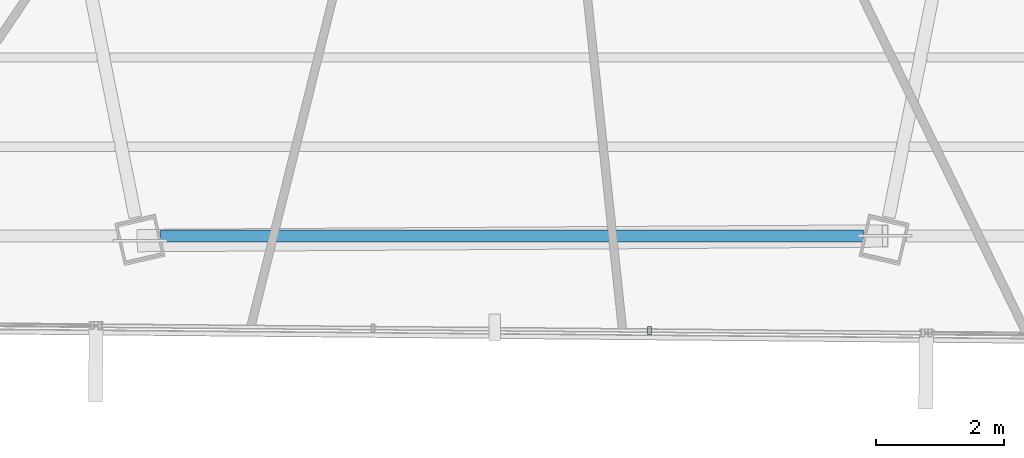
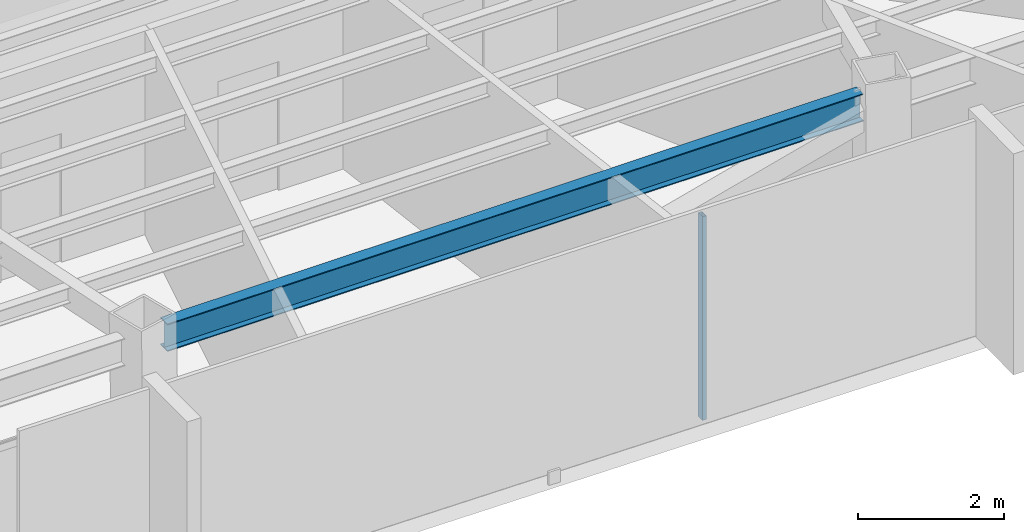
# One storey, part 13 of 46: 1 beam, 1 member, 1 element without a shape of its own.
"""IFC4 building model written with IfcOpenShell, lengths in metres."""

from ifc_helpers import new_model, si_unit, direction, frame, origin, origin_2d, place, context, subcontext, project, spatial, hollow_rectangle, i_section, extrude, source, transform, mapped, material, material_profile, profile_set, type_object, type_shapes, element, aggregate, save


model = new_model("IFC4")

# Units and contexts
model_context = context("Model", 3, precision=1e-05, world=origin(), true_north=direction((0.0, 1.0)))
body_context = subcontext(model_context, "Body", "Model", "MODEL_VIEW")
ifc_project = project(units=[si_unit("LENGTHUNIT", "METRE"), si_unit("AREAUNIT", "SQUARE_METRE"), si_unit("VOLUMEUNIT", "CUBIC_METRE"), si_unit("PLANEANGLEUNIT", "RADIAN"), si_unit("MASSUNIT", "GRAM", prefix="KILO")], contexts=[model_context])

# Site, building, storey
site_placement = place(None, origin())
site = spatial("IfcSite", under=ifc_project, at=site_placement, CompositionType="ELEMENT")
building_placement = place(site_placement, origin())
building = spatial("IfcBuilding", under=site, at=building_placement, Name="Caelisora Broadcast Tower", CompositionType="ELEMENT")
storey_placement = place(building_placement, frame((0.0, 0.0, 237.14990234375)))
storey = spatial("IfcBuildingStorey", under=building, at=storey_placement, Name="L62", CompositionType="ELEMENT", Elevation=237.14990234375)

# Beam
ifc_material_1 = material(Name="Steel Grade 350 (AS/NZS 3679.1)", Category="steel")
ifc_material_profile_1 = material_profile(ifc_material_1, i_section(OverallWidth=0.19091796875, OverallDepth=0.46044921875, WebThickness=0.010009765625, FlangeThickness=0.01611328125, at=origin_2d()), Name="Steel Grade 350 (AS/NZS 3679.1)")
ifc_profile_set_1 = profile_set([ifc_material_profile_1], Name="Steel Grade 350 (AS/NZS 3679.1)")
beam_type = type_object("IfcBeamType", Name="PG06", PredefinedType="BEAM", material=ifc_profile_set_1)
shared_shape_1 = source(origin(), body_context, "Body", "SweptSolid", [
    extrude(i_section(OverallWidth=0.19091796875, OverallDepth=0.46044921875, WebThickness=0.010009765625, FlangeThickness=0.01611328125, at=origin_2d()), origin(), (0.0, 0.0, 1.0), 10.9931640625),
])
type_shapes(beam_type, [shared_shape_1])
beam_placement = place(storey_placement, frame((32.50341796875, 9.02294921875, 3.169921875), z_axis=(1.0, 0.0, 0.0), x_axis=(0.0, 1.0, 0.0)))
element("IfcBeam", 1, at=beam_placement, inside=storey, type_object=beam_type, Name="L62 beam PG06", PredefinedType="BEAM", context=body_context, shape_type="MappedRepresentation", body=[
    mapped(shared_shape_1, transform((0.0, 0.0, 0.0), scale=1.0)),
])

# Curtain wall, member
ifc_material_2 = material(Name="Unitised Aluminium Insulated Shadow-Box Spandrel Curtain Wall", Category="aluminium")
curtain_wall_type = type_object("IfcCurtainWallType", Name="CW-SP3", PredefinedType="NOTDEFINED", material=ifc_material_2)
curtain_wall_placement = place(storey_placement, origin())
curtain_wall = element("IfcCurtainWall", 2, at=curtain_wall_placement, inside=storey, type_object=curtain_wall_type, Name="L62 curtain wall CW-SP3", PredefinedType="NOTDEFINED")
ifc_material_3 = material(Name="Aluminium 6063-T6 Anodised Terracotta Bronze", Category="aluminium")
ifc_material_profile_2 = material_profile(ifc_material_3, hollow_rectangle(XDim=0.06005859375, YDim=0.1201171875, WallThickness=0.0029296875, at=origin_2d()), Name="Aluminium 6063-T6 Anodised Terracotta Bronze")
ifc_profile_set_2 = profile_set([ifc_material_profile_2], Name="Aluminium 6063-T6 Anodised Terracotta Bronze")
member_type = type_object("IfcMemberType", Name="CWM-04", PredefinedType="MULLION", material=ifc_profile_set_2)
shared_shape_2 = source(origin(), body_context, "Body", "SweptSolid", [
    extrude(hollow_rectangle(XDim=0.06005859375, YDim=0.1201171875, WallThickness=0.0029296875, at=origin_2d()), origin(), (0.0, 0.0, 1.0), 3.400146484375),
])
type_shapes(member_type, [shared_shape_2])
member_placement = place(storey_placement, frame((40.150146484375, 7.542724609375, 0.0), z_axis=(0.0, 0.0, 1.0), x_axis=(1.0, 0.0, 0.0)))
member = element("IfcMember", 3, at=member_placement, type_object=member_type, Name="L62-CW-B06 mullion #1", PredefinedType="MULLION", context=body_context, shape_type="MappedRepresentation", body=[
    mapped(shared_shape_2, transform((0.0, 0.0, 0.0), scale=1.0)),
])
aggregate(curtain_wall, [member])

save(model, "model.ifc")
